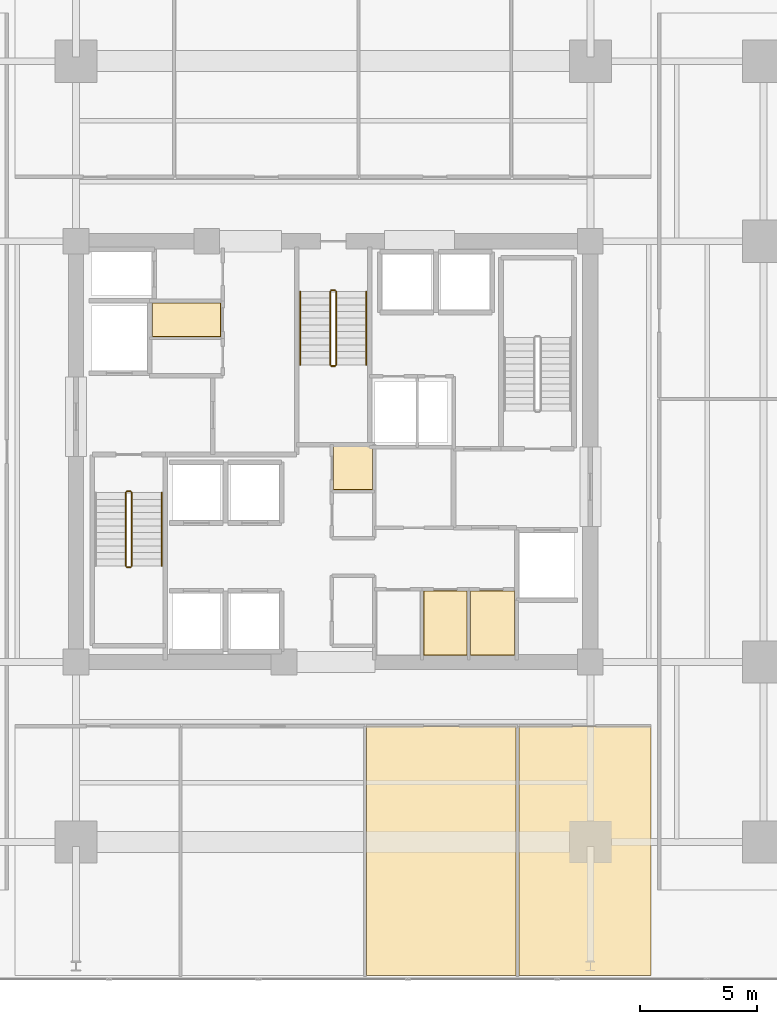
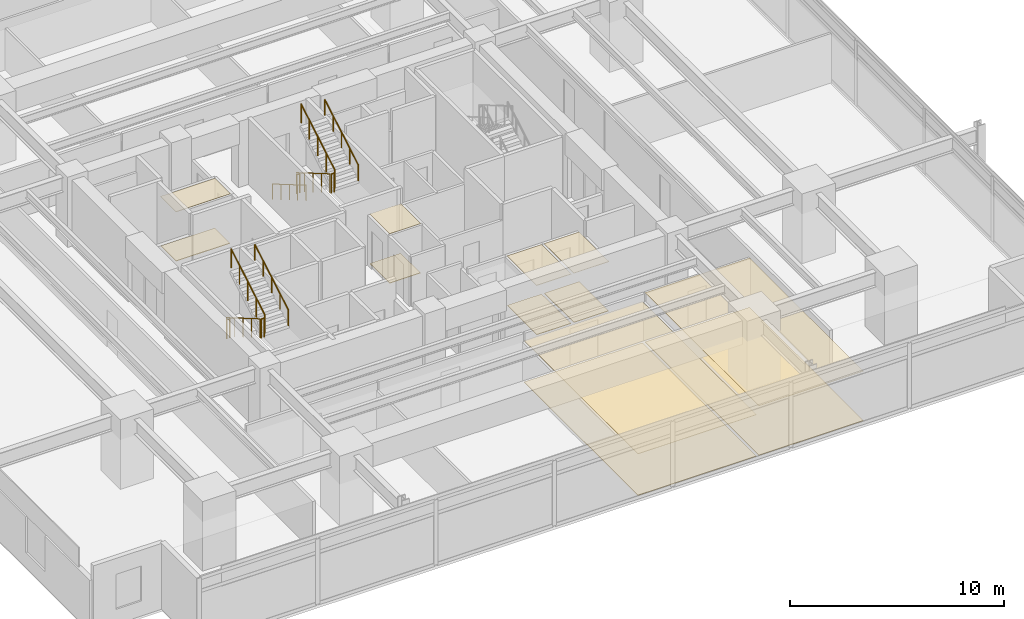
# One storey, part 18 of 20: 12 coverings, 11 railings.
"""IFC4 building model written with IfcOpenShell, lengths in metres."""

from ifc_helpers import new_model, si_unit, direction, frame, origin, origin_2d, place, context, subcontext, project, spatial, polyline, circle, outline, extrude, material, layer, layer_set, type_object, element, save


model = new_model("IFC4")

# Units and contexts
model_context = context("Model", 3, precision=1e-05, world=origin(), true_north=direction((0.0, 1.0)))
body_context = subcontext(model_context, "Body", "Model", "MODEL_VIEW")
ifc_project = project(units=[si_unit("LENGTHUNIT", "METRE"), si_unit("AREAUNIT", "SQUARE_METRE"), si_unit("VOLUMEUNIT", "CUBIC_METRE"), si_unit("PLANEANGLEUNIT", "RADIAN"), si_unit("MASSUNIT", "GRAM", prefix="KILO")], contexts=[model_context])

# Site, building, storey
site_placement = place(None, origin())
site = spatial("IfcSite", under=ifc_project, at=site_placement, CompositionType="ELEMENT")
building_placement = place(site_placement, origin())
building = spatial("IfcBuilding", under=site, at=building_placement, Name="Kovane Verandah Tower", CompositionType="ELEMENT")
storey_placement = place(building_placement, frame((0.0, 0.0, 75.60009765625)))
storey = spatial("IfcBuildingStorey", under=building, at=storey_placement, Name="L17", CompositionType="ELEMENT", Elevation=75.60009765625)

# Coverings
ifc_material_1 = material(Name="Perforated Acoustic Mineral-Fibre Ceiling Tile", Category="gypsum")
ifc_layer_1 = layer(ifc_material_1, 0.02490234375)
ifc_layer_set_1 = layer_set([ifc_layer_1], Name="Perforated Acoustic Mineral-Fibre Ceiling Tile")
covering_type_1 = type_object("IfcCoveringType", Name="CV-CEIL-25", PredefinedType="CEILING", material=ifc_layer_set_1)
covering_1_placement = place(storey_placement, frame((0.0, 0.0, 2.824951171875)))
element("IfcCovering", 1, at=covering_1_placement, inside=storey, type_object=covering_type_1, Name="L17 First Aid Room Acoustic Ceiling", PredefinedType="CEILING", context=body_context, shape_type="SweptSolid", body=[
    extrude(outline(polyline([(43.864990234375, 18.784912109375), (45.735107421875, 18.784912109375), (45.735107421875, 21.56494140625), (43.864990234375, 21.56494140625), (43.864990234375, 18.784912109375)])), origin(), (0.0, 0.0, 1.0), 0.02490234375),
])
covering_2_placement = place(storey_placement, frame((0.0, 0.0, 2.824951171875)))
element("IfcCovering", 2, at=covering_2_placement, inside=storey, type_object=covering_type_1, Name="L17 Quiet Wellness Room Acoustic Ceiling", PredefinedType="CEILING", context=body_context, shape_type="SweptSolid", body=[
    extrude(outline(polyline([(45.864990234375, 18.784912109375), (47.764892578125, 18.784912109375), (47.764892578125, 21.56494140625), (45.864990234375, 21.56494140625), (45.864990234375, 18.784912109375)])), origin(), (0.0, 0.0, 1.0), 0.02490234375),
])
covering_3_placement = place(storey_placement, frame((0.0, 0.0, 2.824951171875)))
element("IfcCovering", 3, at=covering_3_placement, inside=storey, type_object=covering_type_1, Name="L17 North-West First Aid Room Acoustic Ceiling", PredefinedType="CEILING", context=body_context, shape_type="SweptSolid", body=[
    extrude(outline(polyline([(32.264892578125, 32.4150390625), (35.195068359375, 32.4150390625), (35.195068359375, 33.864990234375), (32.264892578125, 33.864990234375), (32.264892578125, 32.4150390625)])), origin(), (0.0, 0.0, 1.0), 0.02490234375),
])
covering_4_placement = place(storey_placement, frame((0.0, 0.0, 2.824951171875)))
element("IfcCovering", 4, at=covering_4_placement, inside=storey, type_object=covering_type_1, Name="L17 Central First Aid and Wellness Room Acoustic Ceiling", PredefinedType="CEILING", context=body_context, shape_type="SweptSolid", body=[
    extrude(outline(polyline([(40.0048828125, 25.864990234375), (41.695068359375, 25.864990234375), (41.695068359375, 27.735107421875), (40.0048828125, 27.735107421875), (40.0048828125, 25.864990234375)])), origin(), (0.0, 0.0, 1.0), 0.02490234375),
])
covering_5_placement = place(storey_placement, frame((0.0, 0.0, 2.364990234375)))
element("IfcCovering", 5, at=covering_5_placement, inside=storey, type_object=covering_type_1, Name="L17 Client Boardroom S3 Acoustic Ceiling", PredefinedType="CEILING", context=body_context, shape_type="SweptSolid", body=[
    extrude(outline(polyline([(41.429931640625, 5.09619140625), (47.818115234375, 5.09619140625), (47.818115234375, 15.75), (41.429931640625, 15.75), (41.429931640625, 5.09619140625)])), origin(), (0.0, 0.0, 1.0), 0.02490234375),
])
covering_6_placement = place(storey_placement, frame((0.0, 0.0, 2.824951171875)))
element("IfcCovering", 6, at=covering_6_placement, inside=storey, type_object=covering_type_1, Name="L17 Meeting Room S4 Acoustic Ceiling", PredefinedType="CEILING", context=body_context, shape_type="SweptSolid", body=[
    extrude(outline(polyline([(47.9580078125, 5.09619140625), (53.60009765625, 5.09619140625), (53.60009765625, 15.75), (47.9580078125, 15.75), (47.9580078125, 5.09619140625)])), origin(), (0.0, 0.0, 1.0), 0.02490234375),
])
ifc_material_2 = material(Name="Polished Terrazzo and Raised-Access Carpet Tile Finish", Category="concrete")
ifc_layer_2 = layer(ifc_material_2, 0.030029296875)
ifc_layer_set_2 = layer_set([ifc_layer_2], Name="Polished Terrazzo and Raised-Access Carpet Tile Finish")
covering_type_2 = type_object("IfcCoveringType", Name="CV-FLOR-30", PredefinedType="FLOORING", material=ifc_layer_set_2)
covering_7_placement = place(storey_placement, origin())
element("IfcCovering", 7, at=covering_7_placement, inside=storey, type_object=covering_type_2, Name="L17 First Aid Room Floor Finish", PredefinedType="FLOORING", context=body_context, shape_type="SweptSolid", body=[
    extrude(outline(polyline([(43.8798828125, 18.800048828125), (45.719970703125, 18.800048828125), (45.719970703125, 21.550048828125), (43.8798828125, 21.550048828125), (43.8798828125, 18.800048828125)])), origin(), (0.0, 0.0, 1.0), 0.02978515625),
])
covering_8_placement = place(storey_placement, origin())
element("IfcCovering", 8, at=covering_8_placement, inside=storey, type_object=covering_type_2, Name="L17 Quiet Wellness Room Floor Finish", PredefinedType="FLOORING", context=body_context, shape_type="SweptSolid", body=[
    extrude(outline(polyline([(45.8798828125, 18.800048828125), (47.75, 18.800048828125), (47.75, 21.550048828125), (45.8798828125, 21.550048828125), (45.8798828125, 18.800048828125)])), origin(), (0.0, 0.0, 1.0), 0.02978515625),
])
covering_9_placement = place(storey_placement, origin())
element("IfcCovering", 9, at=covering_9_placement, inside=storey, type_object=covering_type_2, Name="L17 North-West First Aid Room Floor Finish", PredefinedType="FLOORING", context=body_context, shape_type="SweptSolid", body=[
    extrude(outline(polyline([(32.280029296875, 32.429931640625), (35.179931640625, 32.429931640625), (35.179931640625, 33.85009765625), (32.280029296875, 33.85009765625), (32.280029296875, 32.429931640625)])), origin(), (0.0, 0.0, 1.0), 0.02978515625),
])
covering_10_placement = place(storey_placement, origin())
element("IfcCovering", 10, at=covering_10_placement, inside=storey, type_object=covering_type_2, Name="L17 Central First Aid and Wellness Room Floor Finish", PredefinedType="FLOORING", context=body_context, shape_type="SweptSolid", body=[
    extrude(outline(polyline([(40.02001953125, 25.8798828125), (41.679931640625, 25.8798828125), (41.679931640625, 27.719970703125), (40.02001953125, 27.719970703125), (40.02001953125, 25.8798828125)])), origin(), (0.0, 0.0, 1.0), 0.02978515625),
])
covering_11_placement = place(storey_placement, origin())
element("IfcCovering", 11, at=covering_11_placement, inside=storey, type_object=covering_type_2, Name="L17 Client Boardroom S3 Floor Finish", PredefinedType="FLOORING", context=body_context, shape_type="SweptSolid", body=[
    extrude(outline(polyline([(41.429931640625, 5.09619140625), (47.818115234375, 5.09619140625), (47.818115234375, 15.75), (41.429931640625, 15.75), (41.429931640625, 5.09619140625)])), origin(), (0.0, 0.0, 1.0), 0.02978515625),
])
covering_12_placement = place(storey_placement, origin())
element("IfcCovering", 12, at=covering_12_placement, inside=storey, type_object=covering_type_2, Name="L17 Meeting Room S4 Floor Finish", PredefinedType="FLOORING", context=body_context, shape_type="SweptSolid", body=[
    extrude(outline(polyline([(47.9580078125, 5.09619140625), (53.60009765625, 5.09619140625), (53.60009765625, 15.75), (47.9580078125, 15.75), (47.9580078125, 5.09619140625)])), origin(), (0.0, 0.0, 1.0), 0.02978515625),
])

# Railings
ifc_material_3 = material(Name="Brushed Stainless Steel Handrail", Category="steel")
railing_type_1 = type_object("IfcRailingType", Name="RL-HAND-920", PredefinedType="HANDRAIL", material=ifc_material_3)
railing_1_placement = place(storey_placement, frame((32.669921875, 22.614990234375, 2.16650390625)))
element("IfcRailing", 13, at=railing_1_placement, inside=storey, type_object=railing_type_1, Name="L17 ST-01 stair handrail 2", PredefinedType="HANDRAIL", context=body_context, shape_type="SweptSolid", body=[
    extrude(circle(Radius=0.02392578125, at=origin_2d()), frame((0.0, 0.0, 0.8759765625), z_axis=(0.0, 0.863210265497, 0.504844567704), x_axis=(-1.0, 0.0, 0.0)), (0.0, 0.0, 1.0), 3.6318359375),
    extrude(circle(Radius=0.02099609375, at=origin_2d()), origin(), (0.0, 0.0, 1.0), 0.851806640625),
    extrude(circle(Radius=0.02099609375, at=origin_2d()), frame((0.0, 0.78369140625, 0.45849609375)), (0.0, 0.0, 1.0), 0.851806640625),
    extrude(circle(Radius=0.02099609375, at=origin_2d()), frame((0.0, 1.5673828125, 0.916748046875)), (0.0, 0.0, 1.0), 0.851806640625),
    extrude(circle(Radius=0.02099609375, at=origin_2d()), frame((0.0, 2.351318359375, 1.375)), (0.0, 0.0, 1.0), 0.851806640625),
    extrude(circle(Radius=0.02099609375, at=origin_2d()), frame((0.0, 3.135009765625, 1.83349609375)), (0.0, 0.0, 1.0), 0.851806640625),
])
railing_2_placement = place(storey_placement, frame((38.590087890625, 34.35009765625, 0.16650390625)))
element("IfcRailing", 14, at=railing_2_placement, inside=storey, type_object=railing_type_1, Name="L17 ST-03 stair handrail 1", PredefinedType="HANDRAIL", context=body_context, shape_type="SweptSolid", body=[
    extrude(circle(Radius=0.02392578125, at=origin_2d()), frame((0.0, 0.0, 0.8759765625), z_axis=(0.0, -0.863210265497, 0.504844567704), x_axis=(1.0, 0.0, 0.0)), (0.0, 0.0, 1.0), 3.6318359375),
    extrude(circle(Radius=0.02099609375, at=origin_2d()), origin(), (0.0, 0.0, 1.0), 0.851806640625),
    extrude(circle(Radius=0.02099609375, at=origin_2d()), frame((0.0, -0.78369140625, 0.45849609375)), (0.0, 0.0, 1.0), 0.851806640625),
    extrude(circle(Radius=0.02099609375, at=origin_2d()), frame((0.0, -1.5673828125, 0.916748046875)), (0.0, 0.0, 1.0), 0.851806640625),
    extrude(circle(Radius=0.02099609375, at=origin_2d()), frame((0.0, -2.351318359375, 1.375)), (0.0, 0.0, 1.0), 0.851806640625),
    extrude(circle(Radius=0.02099609375, at=origin_2d()), frame((0.0, -3.135009765625, 1.83349609375)), (0.0, 0.0, 1.0), 0.851806640625),
])
railing_3_placement = place(storey_placement, frame((41.409912109375, 31.215087890625, 2.16650390625)))
element("IfcRailing", 15, at=railing_3_placement, inside=storey, type_object=railing_type_1, Name="L17 ST-03 stair handrail 2", PredefinedType="HANDRAIL", context=body_context, shape_type="SweptSolid", body=[
    extrude(circle(Radius=0.02392578125, at=origin_2d()), frame((0.0, 0.0, 0.8759765625), z_axis=(0.0, 0.863210265497, 0.504844567704), x_axis=(-1.0, 0.0, 0.0)), (0.0, 0.0, 1.0), 3.6318359375),
    extrude(circle(Radius=0.02099609375, at=origin_2d()), origin(), (0.0, 0.0, 1.0), 0.851806640625),
    extrude(circle(Radius=0.02099609375, at=origin_2d()), frame((0.0, 0.78369140625, 0.45849609375)), (0.0, 0.0, 1.0), 0.851806640625),
    extrude(circle(Radius=0.02099609375, at=origin_2d()), frame((0.0, 1.5673828125, 0.916748046875)), (0.0, 0.0, 1.0), 0.851806640625),
    extrude(circle(Radius=0.02099609375, at=origin_2d()), frame((0.0, 2.351318359375, 1.375)), (0.0, 0.0, 1.0), 0.851806640625),
    extrude(circle(Radius=0.02099609375, at=origin_2d()), frame((0.0, 3.135009765625, 1.83349609375)), (0.0, 0.0, 1.0), 0.851806640625),
])
ifc_material_4 = material(Name="Painted Steel Stairwell Guardrail", Category="steel")
railing_type_2 = type_object("IfcRailingType", Name="RL-STGUARD-1120", PredefinedType="GUARDRAIL", material=ifc_material_4)
railing_4_placement = place(storey_placement, frame((31.1298828125, 25.75, 0.16650390625)))
element("IfcRailing", 16, at=railing_4_placement, inside=storey, type_object=railing_type_2, Name="L17 ST-01 stair guard 1", PredefinedType="GUARDRAIL", context=body_context, shape_type="SweptSolid", body=[
    extrude(circle(Radius=0.02392578125, at=origin_2d()), frame((0.0, 0.0, 1.076171875), z_axis=(0.0, -0.863210265497, 0.504844567704), x_axis=(1.0, 0.0, 0.0)), (0.0, 0.0, 1.0), 3.6318359375),
    extrude(circle(Radius=0.02099609375, at=origin_2d()), origin(), (0.0, 0.0, 1.0), 1.052001953125),
    extrude(circle(Radius=0.02099609375, at=origin_2d()), frame((0.0, -0.78369140625, 0.45849609375)), (0.0, 0.0, 1.0), 1.052001953125),
    extrude(circle(Radius=0.02099609375, at=origin_2d()), frame((0.0, -1.5673828125, 0.916748046875)), (0.0, 0.0, 1.0), 1.052001953125),
    extrude(circle(Radius=0.02099609375, at=origin_2d()), frame((0.0, -2.351318359375, 1.375)), (0.0, 0.0, 1.0), 1.052001953125),
    extrude(circle(Radius=0.02099609375, at=origin_2d()), frame((0.0, -3.135009765625, 1.83349609375)), (0.0, 0.0, 1.0), 1.052001953125),
])
railing_5_placement = place(storey_placement, frame((31.179931640625, 22.56494140625, 2.0)))
element("IfcRailing", 17, at=railing_5_placement, inside=storey, type_object=railing_type_2, Name="L17 ST-01 stair guard 2", PredefinedType="GUARDRAIL", context=body_context, shape_type="SweptSolid", body=[
    extrude(circle(Radius=0.02392578125, at=origin_2d()), frame((0.0, 0.0, 1.076171875), z_axis=(1.0, 0.0, 0.0), x_axis=(0.0, 1.0, 0.0)), (0.0, 0.0, 1.0), 0.16015625),
    extrude(circle(Radius=0.02099609375, at=origin_2d()), origin(), (0.0, 0.0, 1.0), 1.052001953125),
    extrude(circle(Radius=0.02099609375, at=origin_2d()), frame((0.16015625, 0.0, 0.0)), (0.0, 0.0, 1.0), 1.052001953125),
])
railing_6_placement = place(storey_placement, frame((31.389892578125, 22.614990234375, 2.16650390625)))
element("IfcRailing", 18, at=railing_6_placement, inside=storey, type_object=railing_type_2, Name="L17 ST-01 stair guard 3", PredefinedType="GUARDRAIL", context=body_context, shape_type="SweptSolid", body=[
    extrude(circle(Radius=0.02392578125, at=origin_2d()), frame((0.0, 0.0, 1.076171875), z_axis=(0.0, 0.863210265497, 0.504844567704), x_axis=(-1.0, 0.0, 0.0)), (0.0, 0.0, 1.0), 3.6318359375),
    extrude(circle(Radius=0.02099609375, at=origin_2d()), origin(), (0.0, 0.0, 1.0), 1.052001953125),
    extrude(circle(Radius=0.02099609375, at=origin_2d()), frame((0.0, 0.78369140625, 0.45849609375)), (0.0, 0.0, 1.0), 1.052001953125),
    extrude(circle(Radius=0.02099609375, at=origin_2d()), frame((0.0, 1.5673828125, 0.916748046875)), (0.0, 0.0, 1.0), 1.052001953125),
    extrude(circle(Radius=0.02099609375, at=origin_2d()), frame((0.0, 2.351318359375, 1.375)), (0.0, 0.0, 1.0), 1.052001953125),
    extrude(circle(Radius=0.02099609375, at=origin_2d()), frame((0.0, 3.135009765625, 1.83349609375)), (0.0, 0.0, 1.0), 1.052001953125),
])
railing_7_placement = place(storey_placement, frame((31.179931640625, 25.800048828125, 0.0)))
element("IfcRailing", 19, at=railing_7_placement, inside=storey, type_object=railing_type_2, Name="L17 ST-01 stair guard 4", PredefinedType="GUARDRAIL", context=body_context, shape_type="SweptSolid", body=[
    extrude(circle(Radius=0.02392578125, at=origin_2d()), frame((0.0, 0.0, 1.076171875), z_axis=(1.0, 0.0, 0.0), x_axis=(0.0, 1.0, 0.0)), (0.0, 0.0, 1.0), 0.16015625),
    extrude(circle(Radius=0.02099609375, at=origin_2d()), origin(), (0.0, 0.0, 1.0), 1.052001953125),
    extrude(circle(Radius=0.02099609375, at=origin_2d()), frame((0.16015625, 0.0, 0.0)), (0.0, 0.0, 1.0), 1.052001953125),
])
railing_8_placement = place(storey_placement, frame((39.8701171875, 34.35009765625, 0.16650390625)))
element("IfcRailing", 20, at=railing_8_placement, inside=storey, type_object=railing_type_2, Name="L17 ST-03 stair guard 1", PredefinedType="GUARDRAIL", context=body_context, shape_type="SweptSolid", body=[
    extrude(circle(Radius=0.02392578125, at=origin_2d()), frame((0.0, 0.0, 1.076171875), z_axis=(0.0, -0.863210265497, 0.504844567704), x_axis=(1.0, 0.0, 0.0)), (0.0, 0.0, 1.0), 3.6318359375),
    extrude(circle(Radius=0.02099609375, at=origin_2d()), origin(), (0.0, 0.0, 1.0), 1.052001953125),
    extrude(circle(Radius=0.02099609375, at=origin_2d()), frame((0.0, -0.78369140625, 0.45849609375)), (0.0, 0.0, 1.0), 1.052001953125),
    extrude(circle(Radius=0.02099609375, at=origin_2d()), frame((0.0, -1.5673828125, 0.916748046875)), (0.0, 0.0, 1.0), 1.052001953125),
    extrude(circle(Radius=0.02099609375, at=origin_2d()), frame((0.0, -2.351318359375, 1.375)), (0.0, 0.0, 1.0), 1.052001953125),
    extrude(circle(Radius=0.02099609375, at=origin_2d()), frame((0.0, -3.135009765625, 1.83349609375)), (0.0, 0.0, 1.0), 1.052001953125),
])
railing_9_placement = place(storey_placement, frame((39.919921875, 31.1650390625, 2.0)))
element("IfcRailing", 21, at=railing_9_placement, inside=storey, type_object=railing_type_2, Name="L17 ST-03 stair guard 2", PredefinedType="GUARDRAIL", context=body_context, shape_type="SweptSolid", body=[
    extrude(circle(Radius=0.02392578125, at=origin_2d()), frame((0.0, 0.0, 1.076171875), z_axis=(1.0, 0.0, 0.0), x_axis=(0.0, 1.0, 0.0)), (0.0, 0.0, 1.0), 0.16015625),
    extrude(circle(Radius=0.02099609375, at=origin_2d()), origin(), (0.0, 0.0, 1.0), 1.052001953125),
    extrude(circle(Radius=0.02099609375, at=origin_2d()), frame((0.16015625, 0.0, 0.0)), (0.0, 0.0, 1.0), 1.052001953125),
])
railing_10_placement = place(storey_placement, frame((40.1298828125, 31.215087890625, 2.16650390625)))
element("IfcRailing", 22, at=railing_10_placement, inside=storey, type_object=railing_type_2, Name="L17 ST-03 stair guard 3", PredefinedType="GUARDRAIL", context=body_context, shape_type="SweptSolid", body=[
    extrude(circle(Radius=0.02392578125, at=origin_2d()), frame((0.0, 0.0, 1.076171875), z_axis=(0.0, 0.863210265497, 0.504844567704), x_axis=(-1.0, 0.0, 0.0)), (0.0, 0.0, 1.0), 3.6318359375),
    extrude(circle(Radius=0.02099609375, at=origin_2d()), origin(), (0.0, 0.0, 1.0), 1.052001953125),
    extrude(circle(Radius=0.02099609375, at=origin_2d()), frame((0.0, 0.78369140625, 0.45849609375)), (0.0, 0.0, 1.0), 1.052001953125),
    extrude(circle(Radius=0.02099609375, at=origin_2d()), frame((0.0, 1.5673828125, 0.916748046875)), (0.0, 0.0, 1.0), 1.052001953125),
    extrude(circle(Radius=0.02099609375, at=origin_2d()), frame((0.0, 2.351318359375, 1.375)), (0.0, 0.0, 1.0), 1.052001953125),
    extrude(circle(Radius=0.02099609375, at=origin_2d()), frame((0.0, 3.135009765625, 1.83349609375)), (0.0, 0.0, 1.0), 1.052001953125),
])
railing_11_placement = place(storey_placement, frame((39.919921875, 34.39990234375, 0.0)))
element("IfcRailing", 23, at=railing_11_placement, inside=storey, type_object=railing_type_2, Name="L17 ST-03 stair guard 4", PredefinedType="GUARDRAIL", context=body_context, shape_type="SweptSolid", body=[
    extrude(circle(Radius=0.02392578125, at=origin_2d()), frame((0.0, 0.0, 1.076171875), z_axis=(1.0, 0.0, 0.0), x_axis=(0.0, 1.0, 0.0)), (0.0, 0.0, 1.0), 0.16015625),
    extrude(circle(Radius=0.02099609375, at=origin_2d()), origin(), (0.0, 0.0, 1.0), 1.052001953125),
    extrude(circle(Radius=0.02099609375, at=origin_2d()), frame((0.16015625, 0.0, 0.0)), (0.0, 0.0, 1.0), 1.052001953125),
])

save(model, "model.ifc")
